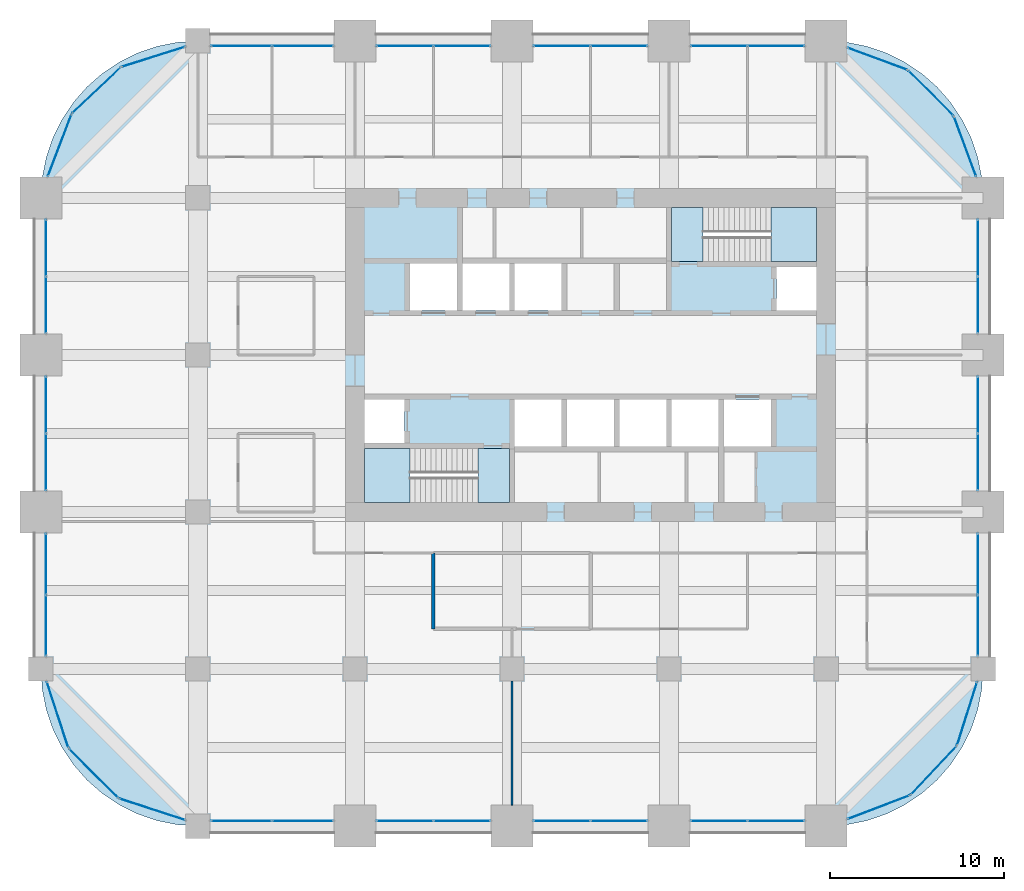
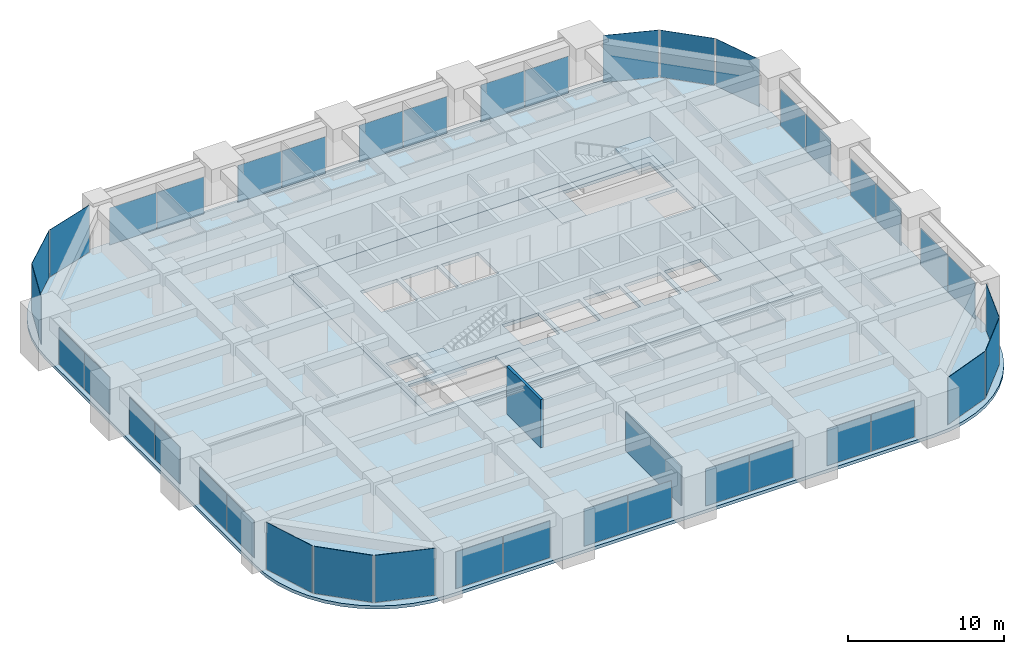
# One storey, part 28 of 32: 40 plates, 6 slabs, 2 walls, 28 elements without a shape of their own.
"""IFC4 building model written with IfcOpenShell, lengths in metres."""

from ifc_helpers import new_model, si_unit, direction, frame, frame_2d, origin, origin_2d, place, context, subcontext, project, spatial, polyline, rectangle, outline, extrude, material, layer, layer_set, type_object, element, aggregate, save


model = new_model("IFC4")

# Units and contexts
model_context = context("Model", 3, precision=1e-05, world=origin(), true_north=direction((0.0, 1.0)))
body_context = subcontext(model_context, "Body", "Model", "MODEL_VIEW")
ifc_project = project(units=[si_unit("LENGTHUNIT", "METRE"), si_unit("AREAUNIT", "SQUARE_METRE"), si_unit("VOLUMEUNIT", "CUBIC_METRE"), si_unit("PLANEANGLEUNIT", "RADIAN"), si_unit("MASSUNIT", "GRAM", prefix="KILO")], contexts=[model_context])

# Site, building, storey
site_placement = place(None, origin())
site = spatial("IfcSite", under=ifc_project, at=site_placement, CompositionType="ELEMENT")
building_placement = place(site_placement, origin())
building = spatial("IfcBuilding", under=site, at=building_placement, Name="Zorevar Civic Tower", CompositionType="ELEMENT")
storey_placement = place(building_placement, frame((0.0, 0.0, 202.199951171875)))
storey = spatial("IfcBuildingStorey", under=building, at=storey_placement, Name="L49", CompositionType="ELEMENT", Elevation=202.199951171875)

# Curtain wall, plates
ifc_material_1 = material(Name="Dark grey solar-control glass in black aluminium frame", Category="aluminium")
curtain_wall_type = type_object("IfcCurtainWallType", Name="Curtain wall CW4 high zone", PredefinedType="NOTDEFINED", material=ifc_material_1)
curtain_wall_1_placement = place(storey_placement, origin())
curtain_wall_1 = element("IfcCurtainWall", 1, at=curtain_wall_1_placement, inside=storey, type_object=curtain_wall_type, Name="CW4 L49", PredefinedType="NOTDEFINED")
ifc_material_2 = material(Name="Dark grey solar-control glass", Category="glass")
ifc_layer_1 = layer(ifc_material_2, 0.028076171875)
ifc_layer_set_1 = layer_set([ifc_layer_1], Name="CW4 panel 28")
plate_type = type_object("IfcPlateType", Name="CW4 panel 28", PredefinedType="CURTAIN_PANEL", material=ifc_layer_set_1)
plate_1_placement = place(storey_placement, frame((11.489990234375, 0.300048828125, 0.06005859375), z_axis=(0.0, 0.0, 1.0), x_axis=(1.0, 0.0, 0.0)))
plate_1 = element("IfcPlate", 2, at=plate_1_placement, type_object=plate_type, Name="CW4 panel 1.1", PredefinedType="CURTAIN_PANEL", context=body_context, shape_type="SweptSolid", body=[
    extrude(rectangle(XDim=3.4599609375, YDim=0.028076171875, at=origin_2d()), origin(), (0.0, 0.0, 1.0), 2.889892578125),
])
plate_2_placement = place(storey_placement, frame((15.010009765625, 0.300048828125, 0.06005859375), z_axis=(0.0, 0.0, 1.0), x_axis=(1.0, 0.0, 0.0)))
plate_2 = element("IfcPlate", 3, at=plate_2_placement, type_object=plate_type, Name="CW4 panel 2.1", PredefinedType="CURTAIN_PANEL", context=body_context, shape_type="SweptSolid", body=[
    extrude(rectangle(XDim=3.4599609375, YDim=0.028076171875, at=origin_2d()), origin(), (0.0, 0.0, 1.0), 2.889892578125),
])
aggregate(curtain_wall_1, [plate_1, plate_2])

curtain_wall_2_placement = place(storey_placement, origin())
curtain_wall_2 = element("IfcCurtainWall", 4, at=curtain_wall_2_placement, inside=storey, type_object=curtain_wall_type, Name="CW4 L49", PredefinedType="NOTDEFINED")
plate_3_placement = place(storey_placement, frame((11.489990234375, 44.699951171875, 0.06005859375), z_axis=(0.0, 0.0, 1.0), x_axis=(1.0, 0.0, 0.0)))
plate_3 = element("IfcPlate", 5, at=plate_3_placement, type_object=plate_type, Name="CW4 panel 1.1", PredefinedType="CURTAIN_PANEL", context=body_context, shape_type="SweptSolid", body=[
    extrude(rectangle(XDim=3.4599609375, YDim=0.028076171875, at=origin_2d()), origin(), (0.0, 0.0, 1.0), 2.889892578125),
])
plate_4_placement = place(storey_placement, frame((15.010009765625, 44.699951171875, 0.06005859375), z_axis=(0.0, 0.0, 1.0), x_axis=(1.0, 0.0, 0.0)))
plate_4 = element("IfcPlate", 6, at=plate_4_placement, type_object=plate_type, Name="CW4 panel 2.1", PredefinedType="CURTAIN_PANEL", context=body_context, shape_type="SweptSolid", body=[
    extrude(rectangle(XDim=3.4599609375, YDim=0.028076171875, at=origin_2d()), origin(), (0.0, 0.0, 1.0), 2.889892578125),
])
aggregate(curtain_wall_2, [plate_3, plate_4])

curtain_wall_3_placement = place(storey_placement, origin())
curtain_wall_3 = element("IfcCurtainWall", 7, at=curtain_wall_3_placement, inside=storey, type_object=curtain_wall_type, Name="CW4 L49", PredefinedType="NOTDEFINED")
plate_5_placement = place(storey_placement, frame((20.864990234375, 0.300048828125, 0.06005859375), z_axis=(0.0, 0.0, 1.0), x_axis=(1.0, 0.0, 0.0)))
plate_5 = element("IfcPlate", 8, at=plate_5_placement, type_object=plate_type, Name="CW4 panel 1.1", PredefinedType="CURTAIN_PANEL", context=body_context, shape_type="SweptSolid", body=[
    extrude(rectangle(XDim=3.2099609375, YDim=0.028076171875, at=origin_2d()), origin(), (0.0, 0.0, 1.0), 2.889892578125),
])
plate_6_placement = place(storey_placement, frame((24.135009765625, 0.300048828125, 0.06005859375), z_axis=(0.0, 0.0, 1.0), x_axis=(1.0, 0.0, 0.0)))
plate_6 = element("IfcPlate", 9, at=plate_6_placement, type_object=plate_type, Name="CW4 panel 2.1", PredefinedType="CURTAIN_PANEL", context=body_context, shape_type="SweptSolid", body=[
    extrude(rectangle(XDim=3.2099609375, YDim=0.028076171875, at=origin_2d()), origin(), (0.0, 0.0, 1.0), 2.889892578125),
])
aggregate(curtain_wall_3, [plate_5, plate_6])

curtain_wall_4_placement = place(storey_placement, origin())
curtain_wall_4 = element("IfcCurtainWall", 10, at=curtain_wall_4_placement, inside=storey, type_object=curtain_wall_type, Name="CW4 L49", PredefinedType="NOTDEFINED")
plate_7_placement = place(storey_placement, frame((20.864990234375, 44.699951171875, 0.06005859375), z_axis=(0.0, 0.0, 1.0), x_axis=(1.0, 0.0, 0.0)))
plate_7 = element("IfcPlate", 11, at=plate_7_placement, type_object=plate_type, Name="CW4 panel 1.1", PredefinedType="CURTAIN_PANEL", context=body_context, shape_type="SweptSolid", body=[
    extrude(rectangle(XDim=3.2099609375, YDim=0.028076171875, at=origin_2d()), origin(), (0.0, 0.0, 1.0), 2.889892578125),
])
plate_8_placement = place(storey_placement, frame((24.135009765625, 44.699951171875, 0.06005859375), z_axis=(0.0, 0.0, 1.0), x_axis=(1.0, 0.0, 0.0)))
plate_8 = element("IfcPlate", 12, at=plate_8_placement, type_object=plate_type, Name="CW4 panel 2.1", PredefinedType="CURTAIN_PANEL", context=body_context, shape_type="SweptSolid", body=[
    extrude(rectangle(XDim=3.2099609375, YDim=0.028076171875, at=origin_2d()), origin(), (0.0, 0.0, 1.0), 2.889892578125),
])
aggregate(curtain_wall_4, [plate_7, plate_8])

curtain_wall_5_placement = place(storey_placement, origin())
curtain_wall_5 = element("IfcCurtainWall", 13, at=curtain_wall_5_placement, inside=storey, type_object=curtain_wall_type, Name="CW4 L49", PredefinedType="NOTDEFINED")
plate_9_placement = place(storey_placement, frame((29.864990234375, 0.300048828125, 0.06005859375), z_axis=(0.0, 0.0, 1.0), x_axis=(1.0, 0.0, 0.0)))
plate_9 = element("IfcPlate", 14, at=plate_9_placement, type_object=plate_type, Name="CW4 panel 1.1", PredefinedType="CURTAIN_PANEL", context=body_context, shape_type="SweptSolid", body=[
    extrude(rectangle(XDim=3.2099609375, YDim=0.028076171875, at=origin_2d()), origin(), (0.0, 0.0, 1.0), 2.889892578125),
])
plate_10_placement = place(storey_placement, frame((33.135009765625, 0.300048828125, 0.06005859375), z_axis=(0.0, 0.0, 1.0), x_axis=(1.0, 0.0, 0.0)))
plate_10 = element("IfcPlate", 15, at=plate_10_placement, type_object=plate_type, Name="CW4 panel 2.1", PredefinedType="CURTAIN_PANEL", context=body_context, shape_type="SweptSolid", body=[
    extrude(rectangle(XDim=3.2099609375, YDim=0.028076171875, at=origin_2d()), origin(), (0.0, 0.0, 1.0), 2.889892578125),
])
aggregate(curtain_wall_5, [plate_9, plate_10])

curtain_wall_6_placement = place(storey_placement, origin())
curtain_wall_6 = element("IfcCurtainWall", 16, at=curtain_wall_6_placement, inside=storey, type_object=curtain_wall_type, Name="CW4 L49", PredefinedType="NOTDEFINED")
plate_11_placement = place(storey_placement, frame((29.864990234375, 44.699951171875, 0.06005859375), z_axis=(0.0, 0.0, 1.0), x_axis=(1.0, 0.0, 0.0)))
plate_11 = element("IfcPlate", 17, at=plate_11_placement, type_object=plate_type, Name="CW4 panel 1.1", PredefinedType="CURTAIN_PANEL", context=body_context, shape_type="SweptSolid", body=[
    extrude(rectangle(XDim=3.2099609375, YDim=0.028076171875, at=origin_2d()), origin(), (0.0, 0.0, 1.0), 2.889892578125),
])
plate_12_placement = place(storey_placement, frame((33.135009765625, 44.699951171875, 0.06005859375), z_axis=(0.0, 0.0, 1.0), x_axis=(1.0, 0.0, 0.0)))
plate_12 = element("IfcPlate", 18, at=plate_12_placement, type_object=plate_type, Name="CW4 panel 2.1", PredefinedType="CURTAIN_PANEL", context=body_context, shape_type="SweptSolid", body=[
    extrude(rectangle(XDim=3.2099609375, YDim=0.028076171875, at=origin_2d()), origin(), (0.0, 0.0, 1.0), 2.889892578125),
])
aggregate(curtain_wall_6, [plate_11, plate_12])

curtain_wall_7_placement = place(storey_placement, origin())
curtain_wall_7 = element("IfcCurtainWall", 19, at=curtain_wall_7_placement, inside=storey, type_object=curtain_wall_type, Name="CW4 L49", PredefinedType="NOTDEFINED")
plate_13_placement = place(storey_placement, frame((38.864990234375, 0.300048828125, 0.06005859375), z_axis=(0.0, 0.0, 1.0), x_axis=(1.0, 0.0, 0.0)))
plate_13 = element("IfcPlate", 20, at=plate_13_placement, type_object=plate_type, Name="CW4 panel 1.1", PredefinedType="CURTAIN_PANEL", context=body_context, shape_type="SweptSolid", body=[
    extrude(rectangle(XDim=3.2099609375, YDim=0.028076171875, at=origin_2d()), origin(), (0.0, 0.0, 1.0), 2.889892578125),
])
plate_14_placement = place(storey_placement, frame((42.135009765625, 0.300048828125, 0.06005859375), z_axis=(0.0, 0.0, 1.0), x_axis=(1.0, 0.0, 0.0)))
plate_14 = element("IfcPlate", 21, at=plate_14_placement, type_object=plate_type, Name="CW4 panel 2.1", PredefinedType="CURTAIN_PANEL", context=body_context, shape_type="SweptSolid", body=[
    extrude(rectangle(XDim=3.2099609375, YDim=0.028076171875, at=origin_2d()), origin(), (0.0, 0.0, 1.0), 2.889892578125),
])
aggregate(curtain_wall_7, [plate_13, plate_14])

curtain_wall_8_placement = place(storey_placement, origin())
curtain_wall_8 = element("IfcCurtainWall", 22, at=curtain_wall_8_placement, inside=storey, type_object=curtain_wall_type, Name="CW4 L49", PredefinedType="NOTDEFINED")
plate_15_placement = place(storey_placement, frame((38.864990234375, 44.699951171875, 0.06005859375), z_axis=(0.0, 0.0, 1.0), x_axis=(1.0, 0.0, 0.0)))
plate_15 = element("IfcPlate", 23, at=plate_15_placement, type_object=plate_type, Name="CW4 panel 1.1", PredefinedType="CURTAIN_PANEL", context=body_context, shape_type="SweptSolid", body=[
    extrude(rectangle(XDim=3.2099609375, YDim=0.028076171875, at=origin_2d()), origin(), (0.0, 0.0, 1.0), 2.889892578125),
])
plate_16_placement = place(storey_placement, frame((42.135009765625, 44.699951171875, 0.06005859375), z_axis=(0.0, 0.0, 1.0), x_axis=(1.0, 0.0, 0.0)))
plate_16 = element("IfcPlate", 24, at=plate_16_placement, type_object=plate_type, Name="CW4 panel 2.1", PredefinedType="CURTAIN_PANEL", context=body_context, shape_type="SweptSolid", body=[
    extrude(rectangle(XDim=3.2099609375, YDim=0.028076171875, at=origin_2d()), origin(), (0.0, 0.0, 1.0), 2.889892578125),
])
aggregate(curtain_wall_8, [plate_15, plate_16])

curtain_wall_9_placement = place(storey_placement, origin())
curtain_wall_9 = element("IfcCurtainWall", 25, at=curtain_wall_9_placement, inside=storey, type_object=curtain_wall_type, Name="CW4 L49", PredefinedType="NOTDEFINED")
plate_17_placement = place(storey_placement, frame((0.300048828125, 11.489990234375, 0.06005859375), z_axis=(0.0, 0.0, 1.0), x_axis=(0.0, 1.0, 0.0)))
plate_17 = element("IfcPlate", 26, at=plate_17_placement, type_object=plate_type, Name="CW4 panel 1.1", PredefinedType="CURTAIN_PANEL", context=body_context, shape_type="SweptSolid", body=[
    extrude(rectangle(XDim=3.4599609375, YDim=0.028076171875, at=origin_2d()), origin(), (0.0, 0.0, 1.0), 2.889892578125),
])
plate_18_placement = place(storey_placement, frame((0.300048828125, 15.010009765625, 0.06005859375), z_axis=(0.0, 0.0, 1.0), x_axis=(0.0, 1.0, 0.0)))
plate_18 = element("IfcPlate", 27, at=plate_18_placement, type_object=plate_type, Name="CW4 panel 2.1", PredefinedType="CURTAIN_PANEL", context=body_context, shape_type="SweptSolid", body=[
    extrude(rectangle(XDim=3.4599609375, YDim=0.028076171875, at=origin_2d()), origin(), (0.0, 0.0, 1.0), 2.889892578125),
])
aggregate(curtain_wall_9, [plate_17, plate_18])

curtain_wall_10_placement = place(storey_placement, origin())
curtain_wall_10 = element("IfcCurtainWall", 28, at=curtain_wall_10_placement, inside=storey, type_object=curtain_wall_type, Name="CW4 L49", PredefinedType="NOTDEFINED")
plate_19_placement = place(storey_placement, frame((53.699951171875, 11.489990234375, 0.06005859375), z_axis=(0.0, 0.0, 1.0), x_axis=(0.0, 1.0, 0.0)))
plate_19 = element("IfcPlate", 29, at=plate_19_placement, type_object=plate_type, Name="CW4 panel 1.1", PredefinedType="CURTAIN_PANEL", context=body_context, shape_type="SweptSolid", body=[
    extrude(rectangle(XDim=3.4599609375, YDim=0.028076171875, at=origin_2d()), origin(), (0.0, 0.0, 1.0), 2.889892578125),
])
plate_20_placement = place(storey_placement, frame((53.699951171875, 15.010009765625, 0.06005859375), z_axis=(0.0, 0.0, 1.0), x_axis=(0.0, 1.0, 0.0)))
plate_20 = element("IfcPlate", 30, at=plate_20_placement, type_object=plate_type, Name="CW4 panel 2.1", PredefinedType="CURTAIN_PANEL", context=body_context, shape_type="SweptSolid", body=[
    extrude(rectangle(XDim=3.4599609375, YDim=0.028076171875, at=origin_2d()), origin(), (0.0, 0.0, 1.0), 2.889892578125),
])
aggregate(curtain_wall_10, [plate_19, plate_20])

curtain_wall_11_placement = place(storey_placement, origin())
curtain_wall_11 = element("IfcCurtainWall", 31, at=curtain_wall_11_placement, inside=storey, type_object=curtain_wall_type, Name="CW4 L49", PredefinedType="NOTDEFINED")
plate_21_placement = place(storey_placement, frame((0.300048828125, 20.864990234375, 0.06005859375), z_axis=(0.0, 0.0, 1.0), x_axis=(0.0, 1.0, 0.0)))
plate_21 = element("IfcPlate", 32, at=plate_21_placement, type_object=plate_type, Name="CW4 panel 1.1", PredefinedType="CURTAIN_PANEL", context=body_context, shape_type="SweptSolid", body=[
    extrude(rectangle(XDim=3.2099609375, YDim=0.028076171875, at=origin_2d()), origin(), (0.0, 0.0, 1.0), 2.889892578125),
])
plate_22_placement = place(storey_placement, frame((0.300048828125, 24.135009765625, 0.06005859375), z_axis=(0.0, 0.0, 1.0), x_axis=(0.0, 1.0, 0.0)))
plate_22 = element("IfcPlate", 33, at=plate_22_placement, type_object=plate_type, Name="CW4 panel 2.1", PredefinedType="CURTAIN_PANEL", context=body_context, shape_type="SweptSolid", body=[
    extrude(rectangle(XDim=3.2099609375, YDim=0.028076171875, at=origin_2d()), origin(), (0.0, 0.0, 1.0), 2.889892578125),
])
aggregate(curtain_wall_11, [plate_21, plate_22])

curtain_wall_12_placement = place(storey_placement, origin())
curtain_wall_12 = element("IfcCurtainWall", 34, at=curtain_wall_12_placement, inside=storey, type_object=curtain_wall_type, Name="CW4 L49", PredefinedType="NOTDEFINED")
plate_23_placement = place(storey_placement, frame((53.699951171875, 20.864990234375, 0.06005859375), z_axis=(0.0, 0.0, 1.0), x_axis=(0.0, 1.0, 0.0)))
plate_23 = element("IfcPlate", 35, at=plate_23_placement, type_object=plate_type, Name="CW4 panel 1.1", PredefinedType="CURTAIN_PANEL", context=body_context, shape_type="SweptSolid", body=[
    extrude(rectangle(XDim=3.2099609375, YDim=0.028076171875, at=origin_2d()), origin(), (0.0, 0.0, 1.0), 2.889892578125),
])
plate_24_placement = place(storey_placement, frame((53.699951171875, 24.135009765625, 0.06005859375), z_axis=(0.0, 0.0, 1.0), x_axis=(0.0, 1.0, 0.0)))
plate_24 = element("IfcPlate", 36, at=plate_24_placement, type_object=plate_type, Name="CW4 panel 2.1", PredefinedType="CURTAIN_PANEL", context=body_context, shape_type="SweptSolid", body=[
    extrude(rectangle(XDim=3.2099609375, YDim=0.028076171875, at=origin_2d()), origin(), (0.0, 0.0, 1.0), 2.889892578125),
])
aggregate(curtain_wall_12, [plate_23, plate_24])

curtain_wall_13_placement = place(storey_placement, origin())
curtain_wall_13 = element("IfcCurtainWall", 37, at=curtain_wall_13_placement, inside=storey, type_object=curtain_wall_type, Name="CW4 L49", PredefinedType="NOTDEFINED")
plate_25_placement = place(storey_placement, frame((0.300048828125, 29.864990234375, 0.06005859375), z_axis=(0.0, 0.0, 1.0), x_axis=(0.0, 1.0, 0.0)))
plate_25 = element("IfcPlate", 38, at=plate_25_placement, type_object=plate_type, Name="CW4 panel 1.1", PredefinedType="CURTAIN_PANEL", context=body_context, shape_type="SweptSolid", body=[
    extrude(rectangle(XDim=3.2099609375, YDim=0.028076171875, at=origin_2d()), origin(), (0.0, 0.0, 1.0), 2.889892578125),
])
plate_26_placement = place(storey_placement, frame((0.300048828125, 33.135009765625, 0.06005859375), z_axis=(0.0, 0.0, 1.0), x_axis=(0.0, 1.0, 0.0)))
plate_26 = element("IfcPlate", 39, at=plate_26_placement, type_object=plate_type, Name="CW4 panel 2.1", PredefinedType="CURTAIN_PANEL", context=body_context, shape_type="SweptSolid", body=[
    extrude(rectangle(XDim=3.2099609375, YDim=0.028076171875, at=origin_2d()), origin(), (0.0, 0.0, 1.0), 2.889892578125),
])
aggregate(curtain_wall_13, [plate_25, plate_26])

curtain_wall_14_placement = place(storey_placement, origin())
curtain_wall_14 = element("IfcCurtainWall", 40, at=curtain_wall_14_placement, inside=storey, type_object=curtain_wall_type, Name="CW4 L49", PredefinedType="NOTDEFINED")
plate_27_placement = place(storey_placement, frame((53.699951171875, 29.864990234375, 0.06005859375), z_axis=(0.0, 0.0, 1.0), x_axis=(0.0, 1.0, 0.0)))
plate_27 = element("IfcPlate", 41, at=plate_27_placement, type_object=plate_type, Name="CW4 panel 1.1", PredefinedType="CURTAIN_PANEL", context=body_context, shape_type="SweptSolid", body=[
    extrude(rectangle(XDim=3.2099609375, YDim=0.028076171875, at=origin_2d()), origin(), (0.0, 0.0, 1.0), 2.889892578125),
])
plate_28_placement = place(storey_placement, frame((53.699951171875, 33.135009765625, 0.06005859375), z_axis=(0.0, 0.0, 1.0), x_axis=(0.0, 1.0, 0.0)))
plate_28 = element("IfcPlate", 42, at=plate_28_placement, type_object=plate_type, Name="CW4 panel 2.1", PredefinedType="CURTAIN_PANEL", context=body_context, shape_type="SweptSolid", body=[
    extrude(rectangle(XDim=3.2099609375, YDim=0.028076171875, at=origin_2d()), origin(), (0.0, 0.0, 1.0), 2.889892578125),
])
aggregate(curtain_wall_14, [plate_27, plate_28])

# Curtain wall, plate
curtain_wall_15_placement = place(storey_placement, origin())
curtain_wall_15 = element("IfcCurtainWall", 43, at=curtain_wall_15_placement, inside=storey, type_object=curtain_wall_type, Name="CW4 L49", PredefinedType="NOTDEFINED")
plate_29_placement = place(storey_placement, frame((48.0166015625, 1.07470703125, 0.06005859375), z_axis=(0.0, 0.0, 1.0), x_axis=(0.93458842801, 0.355730895803, 0.0)))
plate_29 = element("IfcPlate", 44, at=plate_29_placement, type_object=plate_type, Name="CW4 panel 1.1", PredefinedType="CURTAIN_PANEL", context=body_context, shape_type="SweptSolid", body=[
    extrude(rectangle(XDim=3.767333984375, YDim=0.028076171875, at=origin_2d()), origin(), (0.0, 0.0, 1.0), 3.68994140625),
])
aggregate(curtain_wall_15, [plate_29])

curtain_wall_16_placement = place(storey_placement, origin())
curtain_wall_16 = element("IfcCurtainWall", 45, at=curtain_wall_16_placement, inside=storey, type_object=curtain_wall_type, Name="CW4 L49", PredefinedType="NOTDEFINED")
plate_30_placement = place(storey_placement, frame((51.167236328125, 3.179443359375, 0.06005859375), z_axis=(0.0, 0.0, 1.0), x_axis=(0.686377907265, 0.727245053898, 0.0)))
plate_30 = element("IfcPlate", 46, at=plate_30_placement, type_object=plate_type, Name="CW4 panel 1.1", PredefinedType="CURTAIN_PANEL", context=body_context, shape_type="SweptSolid", body=[
    extrude(rectangle(XDim=3.767333984375, YDim=0.028076171875, at=origin_2d()), origin(), (0.0, 0.0, 1.0), 3.68994140625),
])
aggregate(curtain_wall_16, [plate_30])

curtain_wall_17_placement = place(storey_placement, origin())
curtain_wall_17 = element("IfcCurtainWall", 47, at=curtain_wall_17_placement, inside=storey, type_object=curtain_wall_type, Name="CW4 L49", PredefinedType="NOTDEFINED")
plate_31_placement = place(storey_placement, frame((53.08642578125, 6.446533203125, 0.06005859375), z_axis=(0.0, 0.0, 1.0), x_axis=(0.301108296077, 0.953589950678, 0.0)))
plate_31 = element("IfcPlate", 48, at=plate_31_placement, type_object=plate_type, Name="CW4 panel 1.1", PredefinedType="CURTAIN_PANEL", context=body_context, shape_type="SweptSolid", body=[
    extrude(rectangle(XDim=3.767333984375, YDim=0.028076171875, at=origin_2d()), origin(), (0.0, 0.0, 1.0), 3.68994140625),
])
aggregate(curtain_wall_17, [plate_31])

curtain_wall_18_placement = place(storey_placement, origin())
curtain_wall_18 = element("IfcCurtainWall", 49, at=curtain_wall_18_placement, inside=storey, type_object=curtain_wall_type, Name="CW4 L49", PredefinedType="NOTDEFINED")
plate_32_placement = place(storey_placement, frame((52.97119140625, 38.9462890625, 0.06005859375), z_axis=(0.0, 0.0, 1.0), x_axis=(-0.346704012033, 0.937974588163, 0.0)))
plate_32 = element("IfcPlate", 50, at=plate_32_placement, type_object=plate_type, Name="CW4 panel 1.1", PredefinedType="CURTAIN_PANEL", context=body_context, shape_type="SweptSolid", body=[
    extrude(rectangle(XDim=3.603759765625, YDim=0.028076171875, at=origin_2d()), origin(), (0.0, 0.0, 1.0), 3.68994140625),
])
aggregate(curtain_wall_18, [plate_32])

curtain_wall_19_placement = place(storey_placement, origin())
curtain_wall_19 = element("IfcCurtainWall", 51, at=curtain_wall_19_placement, inside=storey, type_object=curtain_wall_type, Name="CW4 L49", PredefinedType="NOTDEFINED")
plate_33_placement = place(storey_placement, frame((51.00927734375, 42.00927734375, 0.06005859375), z_axis=(0.0, 0.0, 1.0), x_axis=(-0.707106781187, 0.707106781187, 0.0)))
plate_33 = element("IfcPlate", 52, at=plate_33_placement, type_object=plate_type, Name="CW4 panel 1.1", PredefinedType="CURTAIN_PANEL", context=body_context, shape_type="SweptSolid", body=[
    extrude(rectangle(XDim=3.603759765625, YDim=0.028076171875, at=origin_2d()), origin(), (0.0, 0.0, 1.0), 3.68994140625),
])
aggregate(curtain_wall_19, [plate_33])

curtain_wall_20_placement = place(storey_placement, origin())
curtain_wall_20 = element("IfcCurtainWall", 53, at=curtain_wall_20_placement, inside=storey, type_object=curtain_wall_type, Name="CW4 L49", PredefinedType="NOTDEFINED")
plate_34_placement = place(storey_placement, frame((47.9462890625, 43.97119140625, 0.06005859375), z_axis=(0.0, 0.0, 1.0), x_axis=(-0.937974588163, 0.346704012033, 0.0)))
plate_34 = element("IfcPlate", 54, at=plate_34_placement, type_object=plate_type, Name="CW4 panel 1.1", PredefinedType="CURTAIN_PANEL", context=body_context, shape_type="SweptSolid", body=[
    extrude(rectangle(XDim=3.603759765625, YDim=0.028076171875, at=origin_2d()), origin(), (0.0, 0.0, 1.0), 3.68994140625),
])
aggregate(curtain_wall_20, [plate_34])

curtain_wall_21_placement = place(storey_placement, origin())
curtain_wall_21 = element("IfcCurtainWall", 55, at=curtain_wall_21_placement, inside=storey, type_object=curtain_wall_type, Name="CW4 L49", PredefinedType="NOTDEFINED")
plate_35_placement = place(storey_placement, frame((6.446533203125, 44.08642578125, 0.06005859375), z_axis=(0.0, 0.0, 1.0), x_axis=(-0.953589950678, -0.301108296077, 0.0)))
plate_35 = element("IfcPlate", 56, at=plate_35_placement, type_object=plate_type, Name="CW4 panel 1.1", PredefinedType="CURTAIN_PANEL", context=body_context, shape_type="SweptSolid", body=[
    extrude(rectangle(XDim=3.767333984375, YDim=0.028076171875, at=origin_2d()), origin(), (0.0, 0.0, 1.0), 3.68994140625),
])
aggregate(curtain_wall_21, [plate_35])

curtain_wall_22_placement = place(storey_placement, origin())
curtain_wall_22 = element("IfcCurtainWall", 57, at=curtain_wall_22_placement, inside=storey, type_object=curtain_wall_type, Name="CW4 L49", PredefinedType="NOTDEFINED")
plate_36_placement = place(storey_placement, frame((3.179443359375, 42.167236328125, 0.06005859375), z_axis=(0.0, 0.0, 1.0), x_axis=(-0.727245053898, -0.686377907265, 0.0)))
plate_36 = element("IfcPlate", 58, at=plate_36_placement, type_object=plate_type, Name="CW4 panel 1.1", PredefinedType="CURTAIN_PANEL", context=body_context, shape_type="SweptSolid", body=[
    extrude(rectangle(XDim=3.767333984375, YDim=0.028076171875, at=origin_2d()), origin(), (0.0, 0.0, 1.0), 3.68994140625),
])
aggregate(curtain_wall_22, [plate_36])

curtain_wall_23_placement = place(storey_placement, origin())
curtain_wall_23 = element("IfcCurtainWall", 59, at=curtain_wall_23_placement, inside=storey, type_object=curtain_wall_type, Name="CW4 L49", PredefinedType="NOTDEFINED")
plate_37_placement = place(storey_placement, frame((1.07470703125, 39.0166015625, 0.06005859375), z_axis=(0.0, 0.0, 1.0), x_axis=(-0.355730895803, -0.93458842801, 0.0)))
plate_37 = element("IfcPlate", 60, at=plate_37_placement, type_object=plate_type, Name="CW4 panel 1.1", PredefinedType="CURTAIN_PANEL", context=body_context, shape_type="SweptSolid", body=[
    extrude(rectangle(XDim=3.767333984375, YDim=0.028076171875, at=origin_2d()), origin(), (0.0, 0.0, 1.0), 3.68994140625),
])
aggregate(curtain_wall_23, [plate_37])

curtain_wall_24_placement = place(storey_placement, origin())
curtain_wall_24 = element("IfcCurtainWall", 61, at=curtain_wall_24_placement, inside=storey, type_object=curtain_wall_type, Name="CW4 L49", PredefinedType="NOTDEFINED")
plate_38_placement = place(storey_placement, frame((0.956787109375, 6.374755859375, 0.06005859375), z_axis=(0.0, 0.0, 1.0), x_axis=(0.310281419775, -0.950644749916, 0.0)))
plate_38 = element("IfcPlate", 62, at=plate_38_placement, type_object=plate_type, Name="CW4 panel 1.1", PredefinedType="CURTAIN_PANEL", context=body_context, shape_type="SweptSolid", body=[
    extrude(rectangle(XDim=3.9306640625, YDim=0.028076171875, at=origin_2d()), origin(), (0.0, 0.0, 1.0), 3.68994140625),
])
aggregate(curtain_wall_24, [plate_38])

curtain_wall_25_placement = place(storey_placement, origin())
curtain_wall_25 = element("IfcCurtainWall", 63, at=curtain_wall_25_placement, inside=storey, type_object=curtain_wall_type, Name="CW4 L49", PredefinedType="NOTDEFINED")
plate_39_placement = place(storey_placement, frame((3.01708984375, 3.01708984375, 0.06005859375), z_axis=(0.0, 0.0, 1.0), x_axis=(0.707106781187, -0.707106781187, 0.0)))
plate_39 = element("IfcPlate", 64, at=plate_39_placement, type_object=plate_type, Name="CW4 panel 1.1", PredefinedType="CURTAIN_PANEL", context=body_context, shape_type="SweptSolid", body=[
    extrude(rectangle(XDim=3.9306640625, YDim=0.028076171875, at=origin_2d()), origin(), (0.0, 0.0, 1.0), 3.68994140625),
])
aggregate(curtain_wall_25, [plate_39])

curtain_wall_26_placement = place(storey_placement, origin())
curtain_wall_26 = element("IfcCurtainWall", 65, at=curtain_wall_26_placement, inside=storey, type_object=curtain_wall_type, Name="CW4 L49", PredefinedType="NOTDEFINED")
plate_40_placement = place(storey_placement, frame((6.374755859375, 0.956787109375, 0.06005859375), z_axis=(0.0, 0.0, 1.0), x_axis=(0.950644749916, -0.310281419775, 0.0)))
plate_40 = element("IfcPlate", 66, at=plate_40_placement, type_object=plate_type, Name="CW4 panel 1.1", PredefinedType="CURTAIN_PANEL", context=body_context, shape_type="SweptSolid", body=[
    extrude(rectangle(XDim=3.9306640625, YDim=0.028076171875, at=origin_2d()), origin(), (0.0, 0.0, 1.0), 3.68994140625),
])
aggregate(curtain_wall_26, [plate_40])

# Slabs
ifc_material_3 = material(Name="Concrete C40/50", Category="concrete")
ifc_layer_2 = layer(ifc_material_3, 0.25)
ifc_layer_set_2 = layer_set([ifc_layer_2], Name="Compartment floor slab 250")
slab_type_1 = type_object("IfcSlabType", Name="Compartment floor slab 250", PredefinedType="FLOOR", material=ifc_layer_set_2)
slab_1_placement = place(storey_placement, frame((0.0, 0.0, -0.25)))
element("IfcSlab", 67, at=slab_1_placement, inside=storey, type_object=slab_type_1, Name="Floor slab L49", PredefinedType="FLOOR", context=body_context, shape_type="SweptSolid", body=[
    extrude(outline(polyline([(45.0, 0.0), (46.1748046875, 0.076904296875), (47.329345703125, 0.306640625), (48.444091796875, 0.68505859375), (49.5, 1.205810546875), (50.478759765625, 1.85986328125), (51.364013671875, 2.635986328125), (52.14013671875, 3.521240234375), (52.794189453125, 4.5), (53.31494140625, 5.555908203125), (53.693359375, 6.670654296875), (53.923095703125, 7.8251953125), (54.0, 9.0), (54.0, 36.0), (53.923095703125, 37.1748046875), (53.693359375, 38.329345703125), (53.31494140625, 39.444091796875), (52.794189453125, 40.5), (52.14013671875, 41.478759765625), (51.364013671875, 42.364013671875), (50.478759765625, 43.14013671875), (49.5, 43.794189453125), (48.444091796875, 44.31494140625), (47.329345703125, 44.693359375), (46.1748046875, 44.923095703125), (45.0, 45.0), (9.0, 45.0), (7.8251953125, 44.923095703125), (6.670654296875, 44.693359375), (5.555908203125, 44.31494140625), (4.5, 43.794189453125), (3.521240234375, 43.14013671875), (2.635986328125, 42.364013671875), (1.85986328125, 41.478759765625), (1.205810546875, 40.5), (0.68505859375, 39.444091796875), (0.306640625, 38.329345703125), (0.076904296875, 37.1748046875), (0.0, 36.0), (0.0, 9.0), (0.076904296875, 7.8251953125), (0.306640625, 6.670654296875), (0.68505859375, 5.555908203125), (1.205810546875, 4.5), (1.85986328125, 3.521240234375), (2.635986328125, 2.635986328125), (3.521240234375, 1.85986328125), (4.5, 1.205810546875), (5.555908203125, 0.68505859375), (6.670654296875, 0.306640625), (7.8251953125, 0.076904296875), (9.0, 0.0), (45.0, 0.0)]), holes=[polyline([(18.0, 18.0), (45.0, 18.0), (45.0, 36.0), (18.0, 36.0), (18.0, 18.0)])]), origin(), (0.0, 0.0, 1.0), 0.25),
])
slab_2_placement = place(storey_placement, frame((0.0, 0.0, -0.25)))
element("IfcSlab", 68, at=slab_2_placement, inside=storey, type_object=slab_type_1, Name="Core floor L49", PredefinedType="FLOOR", context=body_context, shape_type="SweptSolid", body=[
    extrude(outline(polyline([(18.0, 18.0), (45.0, 18.0), (45.0, 36.0), (18.0, 36.0), (18.0, 18.0)]), holes=[polyline([(18.550048828125, 18.550048828125), (26.85009765625, 18.550048828125), (26.85009765625, 21.64990234375), (18.550048828125, 21.64990234375), (18.550048828125, 18.550048828125)]), polyline([(36.14990234375, 32.35009765625), (44.449951171875, 32.35009765625), (44.449951171875, 35.449951171875), (36.14990234375, 35.449951171875), (36.14990234375, 32.35009765625)]), polyline([(18.550048828125, 21.949951171875), (20.85009765625, 21.949951171875), (20.85009765625, 24.449951171875), (18.550048828125, 24.449951171875), (18.550048828125, 21.949951171875)]), polyline([(42.14990234375, 29.550048828125), (44.449951171875, 29.550048828125), (44.449951171875, 32.050048828125), (42.14990234375, 32.050048828125), (42.14990234375, 29.550048828125)]), polyline([(27.14990234375, 21.75), (29.85009765625, 21.75), (29.85009765625, 24.449951171875), (27.14990234375, 24.449951171875), (27.14990234375, 21.75)]), polyline([(30.14990234375, 21.75), (32.85009765625, 21.75), (32.85009765625, 24.449951171875), (30.14990234375, 24.449951171875), (30.14990234375, 21.75)]), polyline([(33.14990234375, 21.75), (35.85009765625, 21.75), (35.85009765625, 24.449951171875), (33.14990234375, 24.449951171875), (33.14990234375, 21.75)]), polyline([(27.14990234375, 29.550048828125), (29.85009765625, 29.550048828125), (29.85009765625, 32.25), (27.14990234375, 32.25), (27.14990234375, 29.550048828125)]), polyline([(36.14990234375, 21.75), (38.85009765625, 21.75), (38.85009765625, 24.449951171875), (36.14990234375, 24.449951171875), (36.14990234375, 21.75)]), polyline([(24.14990234375, 29.550048828125), (26.85009765625, 29.550048828125), (26.85009765625, 32.25), (24.14990234375, 32.25), (24.14990234375, 29.550048828125)]), polyline([(39.14990234375, 21.75), (41.85009765625, 21.75), (41.85009765625, 24.449951171875), (39.14990234375, 24.449951171875), (39.14990234375, 21.75)]), polyline([(21.14990234375, 29.550048828125), (23.85009765625, 29.550048828125), (23.85009765625, 32.25), (21.14990234375, 32.25), (21.14990234375, 29.550048828125)])]), origin(), (0.0, 0.0, 1.0), 0.25),
])

# Stair, slabs
ifc_material_4 = material(Name="Precast concrete C40/50", Category="concrete")
stair_type = type_object("IfcStairType", Name="Stair ST 28R", PredefinedType="HALF_TURN_STAIR", material=ifc_material_4)
stair_1_placement = place(storey_placement, origin())
stair_1 = element("IfcStair", 69, at=stair_1_placement, inside=storey, type_object=stair_type, Name="Stair ST1 L49", PredefinedType="HALF_TURN_STAIR")
ifc_material_5 = material(Name="Concrete C40/50", Category="concrete")
ifc_layer_3 = layer(ifc_material_5, 0.199951171875)
ifc_layer_set_3 = layer_set([ifc_layer_3], Name="Stair landing 200")
slab_type_2 = type_object("IfcSlabType", Name="Stair landing 200", PredefinedType="LANDING", material=ifc_layer_set_3)
slab_3_placement = place(storey_placement, frame((0.0, 0.0, -0.199951171875)))
slab_3 = element("IfcSlab", 70, at=slab_3_placement, type_object=slab_type_2, Name="ST1 landing 1", PredefinedType="LANDING", context=body_context, shape_type="SweptSolid", body=[
    extrude(outline(polyline([(25.050048828125, 18.550048828125), (26.85009765625, 18.550048828125), (26.85009765625, 21.64990234375), (25.050048828125, 21.64990234375), (25.050048828125, 18.550048828125)])), origin(), (0.0, 0.0, 1.0), 0.199951171875),
])
slab_4_placement = place(storey_placement, frame((0.0, 0.0, 1.800048828125)))
slab_4 = element("IfcSlab", 71, at=slab_4_placement, type_object=slab_type_2, Name="ST1 landing 2", PredefinedType="LANDING", context=body_context, shape_type="SweptSolid", body=[
    extrude(outline(polyline([(18.550048828125, 18.550048828125), (21.14990234375, 18.550048828125), (21.14990234375, 21.64990234375), (18.550048828125, 21.64990234375), (18.550048828125, 18.550048828125)])), origin(), (0.0, 0.0, 1.0), 0.199951171875),
])
aggregate(stair_1, [slab_3, slab_4])

stair_2_placement = place(storey_placement, origin())
stair_2 = element("IfcStair", 72, at=stair_2_placement, inside=storey, type_object=stair_type, Name="Stair ST2 L49", PredefinedType="HALF_TURN_STAIR")
slab_5_placement = place(storey_placement, frame((0.0, 0.0, -0.199951171875)))
slab_5 = element("IfcSlab", 73, at=slab_5_placement, type_object=slab_type_2, Name="ST2 landing 1", PredefinedType="LANDING", context=body_context, shape_type="SweptSolid", body=[
    extrude(outline(polyline([(37.949951171875, 32.35009765625), (36.14990234375, 32.35009765625), (36.14990234375, 35.449951171875), (37.949951171875, 35.449951171875), (37.949951171875, 32.35009765625)])), origin(), (0.0, 0.0, 1.0), 0.199951171875),
])
slab_6_placement = place(storey_placement, frame((0.0, 0.0, 1.800048828125)))
slab_6 = element("IfcSlab", 74, at=slab_6_placement, type_object=slab_type_2, Name="ST2 landing 2", PredefinedType="LANDING", context=body_context, shape_type="SweptSolid", body=[
    extrude(outline(polyline([(44.449951171875, 32.35009765625), (41.85009765625, 32.35009765625), (41.85009765625, 35.449951171875), (44.449951171875, 35.449951171875), (44.449951171875, 32.35009765625)])), origin(), (0.0, 0.0, 1.0), 0.199951171875),
])
aggregate(stair_2, [slab_5, slab_6])

# Walls
ifc_material_6 = material(Name="Concrete blockwork", Category="masonry")
ifc_layer_4 = layer(ifc_material_6, 0.199951171875)
ifc_layer_set_4 = layer_set([ifc_layer_4], Name="Blockwork wall 200")
wall_type_1 = type_object("IfcWallType", Name="Blockwork wall 200", PredefinedType="SOLIDWALL", material=ifc_layer_set_4)
wall_1_placement = place(storey_placement, frame((22.5, 11.300048828125, 0.0), z_axis=(0.0, 0.0, 1.0), x_axis=(0.0, 1.0, 0.0)))
element("IfcWall", 75, at=wall_1_placement, inside=storey, type_object=wall_type_1, Name="Blockwork wall 200 L49", PredefinedType="SOLIDWALL", context=body_context, shape_type="SweptSolid", body=[
    extrude(rectangle(XDim=4.349853515625, YDim=0.199951171875, at=frame_2d((2.1748046875, 0.0))), origin(), (0.0, 0.0, 1.0), 3.75),
])
ifc_material_7 = material(Name="Laminated glass in black aluminium frame", Category="aluminium")
ifc_layer_5 = layer(ifc_material_7, 0.10009765625)
ifc_layer_set_5 = layer_set([ifc_layer_5], Name="Glazed partition 100")
wall_type_2 = type_object("IfcWallType", Name="Glazed partition 100", PredefinedType="PARTITIONING", material=ifc_layer_set_5)
wall_2_placement = place(storey_placement, frame((27.0, 1.199951171875, 0.0), z_axis=(0.0, 0.0, 1.0), x_axis=(0.0, 1.0, 0.0)))
element("IfcWall", 76, at=wall_2_placement, inside=storey, type_object=wall_type_2, Name="Glazed partition 100 L49", PredefinedType="PARTITIONING", context=body_context, shape_type="SweptSolid", body=[
    extrude(rectangle(XDim=7.10009765625, YDim=0.10009765625, at=frame_2d((3.550048828125, 0.0))), origin(), (0.0, 0.0, 1.0), 3.050048828125),
])

save(model, "model.ifc")
